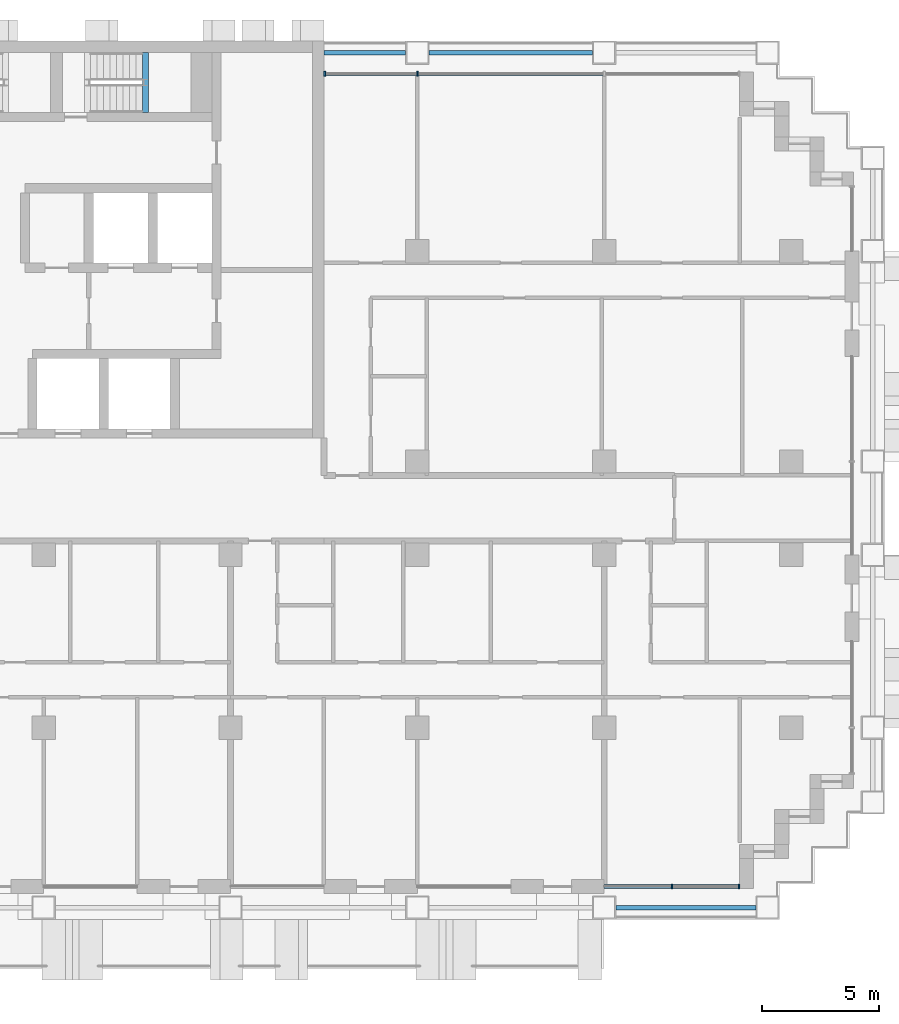
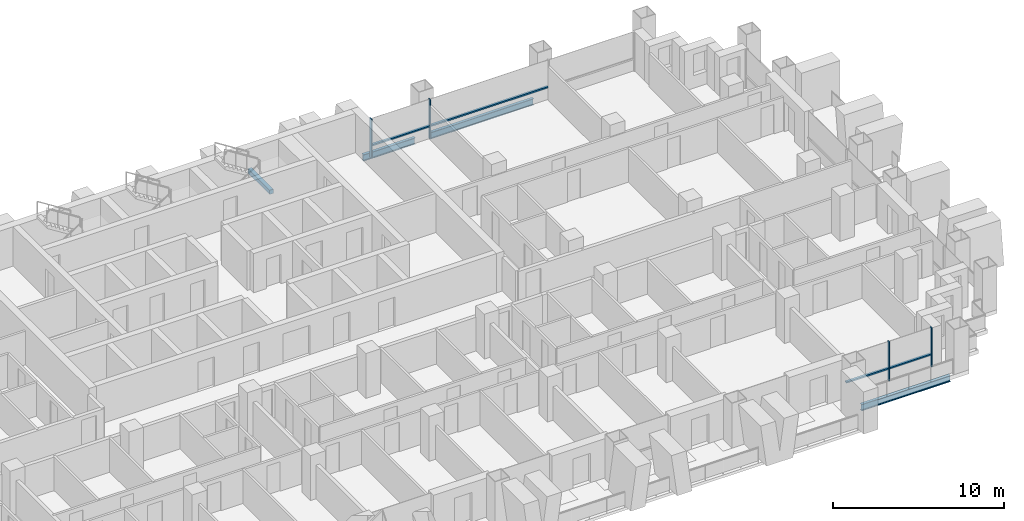
# One storey, part 5 of 19: 8 members, 4 beams, 2 elements without a shape of their own.
"""IFC4 building model written with IfcOpenShell, lengths in metres."""

from ifc_helpers import new_model, si_unit, direction, frame, origin, origin_2d, place, context, subcontext, project, spatial, rectangle, i_section, extrude, material, material_profile, profile_set, type_object, element, aggregate, save


model = new_model("IFC4")

# Units and contexts
model_context = context("Model", 3, precision=1e-05, world=origin(), true_north=direction((0.0, 1.0)))
body_context = subcontext(model_context, "Body", "Model", "MODEL_VIEW")
ifc_project = project(units=[si_unit("LENGTHUNIT", "METRE"), si_unit("AREAUNIT", "SQUARE_METRE"), si_unit("VOLUMEUNIT", "CUBIC_METRE"), si_unit("PLANEANGLEUNIT", "RADIAN"), si_unit("MASSUNIT", "GRAM", prefix="KILO")], contexts=[model_context])

# Site, building, storey
site_placement = place(None, origin())
site = spatial("IfcSite", under=ifc_project, at=site_placement, CompositionType="ELEMENT")
building_placement = place(site_placement, origin())
building = spatial("IfcBuilding", under=site, at=building_placement, Name="Vidyagriha Tower", CompositionType="ELEMENT")
storey_placement = place(building_placement, frame((0.0, 0.0, 60.800048828125)))
storey = spatial("IfcBuildingStorey", under=building, at=storey_placement, Name="L16", CompositionType="ELEMENT", Elevation=60.800048828125)

# Beams
ifc_material_1 = material(Name="Steel ASTM A992 Grade 50", Category="steel")
ifc_material_profile_1 = material_profile(ifc_material_1, i_section(OverallWidth=0.19189453125, OverallDepth=0.46240234375, WebThickness=0.010498046875, FlangeThickness=0.017578125, at=origin_2d()), Name="W18X60")
ifc_profile_set_1 = profile_set([ifc_material_profile_1], Name="Steel ASTM A992 Grade 50")
beam_type_1 = type_object("IfcBeamType", Name="Edge beam W18X60", PredefinedType="SPANDREL", material=ifc_profile_set_1)
beam_1_placement = place(storey_placement, frame((26.5, -17.10009765625, -0.51123046875), z_axis=(1.0, 0.0, 0.0), x_axis=(0.0, 1.0, 0.0)))
element("IfcBeam", 1, at=beam_1_placement, inside=storey, type_object=beam_type_1, Name="st-beam-L16-S09", PredefinedType="SPANDREL", context=body_context, shape_type="SweptSolid", body=[
    extrude(i_section(OverallWidth=0.19189453125, OverallDepth=0.46240234375, WebThickness=0.010498046875, FlangeThickness=0.017578125, at=origin_2d()), origin(), (0.0, 0.0, 1.0), 6.0),
])
beam_2_placement = place(storey_placement, frame((18.5, 19.5, -0.51123046875), z_axis=(1.0, 0.0, 0.0), x_axis=(0.0, 1.0, 0.0)))
element("IfcBeam", 2, at=beam_2_placement, inside=storey, type_object=beam_type_1, Name="st-beam-L16-NE22", PredefinedType="SPANDREL", context=body_context, shape_type="SweptSolid", body=[
    extrude(i_section(OverallWidth=0.19189453125, OverallDepth=0.46240234375, WebThickness=0.010498046875, FlangeThickness=0.017578125, at=origin_2d()), origin(), (0.0, 0.0, 1.0), 7.0),
])
beam_3_placement = place(storey_placement, frame((14.0, 19.5, -0.51123046875), z_axis=(1.0, 0.0, 0.0), x_axis=(0.0, 1.0, 0.0)))
element("IfcBeam", 3, at=beam_3_placement, inside=storey, type_object=beam_type_1, Name="st-beam-L16-NC25", PredefinedType="SPANDREL", context=body_context, shape_type="SweptSolid", body=[
    extrude(i_section(OverallWidth=0.19189453125, OverallDepth=0.46240234375, WebThickness=0.010498046875, FlangeThickness=0.017578125, at=origin_2d()), origin(), (0.0, 0.0, 1.0), 3.5),
])

# Curtain wall, members
ifc_material_2 = material(Name="Aluminium and glass curtain wall", Category="aluminium")
curtain_wall_type = type_object("IfcCurtainWallType", Name="Dwelling skin unitised curtain wall", PredefinedType="USERDEFINED", material=ifc_material_2)
curtain_wall_1_placement = place(storey_placement, origin())
curtain_wall_1 = element("IfcCurtainWall", 4, at=curtain_wall_1_placement, inside=storey, type_object=curtain_wall_type, Name="CW1 dwelling skin", ObjectType="UNITISED", PredefinedType="USERDEFINED")
ifc_material_3 = material(Name="Aluminium black anodised", Category="aluminium")
ifc_material_profile_2 = material_profile(ifc_material_3, rectangle(XDim=0.199951171875, YDim=0.070068359375, at=origin_2d()), Name="Mullion 70x200 black aluminium")
ifc_profile_set_2 = profile_set([ifc_material_profile_2], Name="Aluminium black anodised")
member_type_1 = type_object("IfcMemberType", Name="Mullion 70x200 black aluminium", PredefinedType="MULLION", material=ifc_profile_set_2)
member_1_placement = place(storey_placement, frame((18.0, 18.60009765625, 0.0), z_axis=(0.0, 0.0, 1.0), x_axis=(0.0, -1.0, 0.0)))
member_1 = element("IfcMember", 5, at=member_1_placement, type_object=member_type_1, Name="CW1 mullion 3", PredefinedType="MULLION", context=body_context, shape_type="SweptSolid", body=[
    extrude(rectangle(XDim=0.199951171875, YDim=0.070068359375, at=origin_2d()), origin(), (0.0, 0.0, 1.0), 2.800048828125),
])
member_2_placement = place(storey_placement, frame((14.034912109375, 18.60009765625, 0.0), z_axis=(0.0, 0.0, 1.0), x_axis=(0.0, -1.0, 0.0)))
member_2 = element("IfcMember", 6, at=member_2_placement, type_object=member_type_1, Name="CW1 mullion 4", PredefinedType="MULLION", context=body_context, shape_type="SweptSolid", body=[
    extrude(rectangle(XDim=0.199951171875, YDim=0.070068359375, at=origin_2d()), origin(), (0.0, 0.0, 1.0), 2.800048828125),
])

curtain_wall_2_placement = place(storey_placement, origin())
curtain_wall_2 = element("IfcCurtainWall", 7, at=curtain_wall_2_placement, inside=storey, type_object=curtain_wall_type, Name="CW1 dwelling skin", ObjectType="UNITISED", PredefinedType="USERDEFINED")
member_3_placement = place(storey_placement, frame((28.89990234375, -16.199951171875, 0.0), z_axis=(0.0, 0.0, 1.0), x_axis=(0.0, 1.0, 0.0)))
member_3 = element("IfcMember", 8, at=member_3_placement, type_object=member_type_1, Name="CW1 mullion 2", PredefinedType="MULLION", context=body_context, shape_type="SweptSolid", body=[
    extrude(rectangle(XDim=0.199951171875, YDim=0.070068359375, at=origin_2d()), origin(), (0.0, 0.0, 1.0), 2.800048828125),
])
member_4_placement = place(storey_placement, frame((31.764892578125, -16.199951171875, 0.0), z_axis=(0.0, 0.0, 1.0), x_axis=(0.0, 1.0, 0.0)))
member_4 = element("IfcMember", 9, at=member_4_placement, type_object=member_type_1, Name="CW1 mullion 3", PredefinedType="MULLION", context=body_context, shape_type="SweptSolid", body=[
    extrude(rectangle(XDim=0.199951171875, YDim=0.070068359375, at=origin_2d()), origin(), (0.0, 0.0, 1.0), 2.800048828125),
])

# Beam
ifc_material_4 = material(Name="Concrete C40/50", Category="concrete")
ifc_material_profile_3 = material_profile(ifc_material_4, rectangle(XDim=0.25, YDim=0.300048828125, at=origin_2d()), Name="Stair landing bearing beam 250x300")
ifc_profile_set_3 = profile_set([ifc_material_profile_3], Name="Concrete C40/50")
beam_type_2 = type_object("IfcBeamType", Name="Stair landing bearing beam 250x300", PredefinedType="BEAM", material=ifc_profile_set_3)
beam_4_placement = place(storey_placement, frame((6.364990234375, 16.949951171875, 1.25), z_axis=(0.0, 1.0, 0.0), x_axis=(-1.0, 0.0, 0.0)))
element("IfcBeam", 10, at=beam_4_placement, inside=storey, type_object=beam_type_2, Name="ST3 landing bearing beam L16", PredefinedType="BEAM", context=body_context, shape_type="SweptSolid", body=[
    extrude(rectangle(XDim=0.25, YDim=0.300048828125, at=origin_2d()), origin(), (0.0, 0.0, 1.0), 2.550048828125),
])

# Member
ifc_material_5 = material(Name="Aluminium black anodised", Category="aluminium")
ifc_material_profile_4 = material_profile(ifc_material_5, rectangle(XDim=0.159912109375, YDim=0.10009765625, at=origin_2d()), Name="Transom 100x160 black aluminium")
ifc_profile_set_4 = profile_set([ifc_material_profile_4], Name="Aluminium black anodised")
member_type_2 = type_object("IfcMemberType", Name="Transom 100x160 black aluminium", PredefinedType="USERDEFINED", material=ifc_profile_set_4)
member_5_placement = place(storey_placement, frame((25.965087890625, 18.60009765625, 0.89990234375), z_axis=(-1.0, 0.0, 0.0), x_axis=(0.0, -1.0, 0.0)))
member_5 = element("IfcMember", 11, at=member_5_placement, type_object=member_type_2, Name="CW1 transom 2.1", ObjectType="TRANSOM", PredefinedType="USERDEFINED", context=body_context, shape_type="SweptSolid", body=[
    extrude(rectangle(XDim=0.159912109375, YDim=0.10009765625, at=origin_2d()), origin(), (0.0, 0.0, 1.0), 7.93017578125),
])

member_6_placement = place(storey_placement, frame((17.965087890625, 18.60009765625, 0.89990234375), z_axis=(-1.0, 0.0, 0.0), x_axis=(0.0, -1.0, 0.0)))
member_6 = element("IfcMember", 12, at=member_6_placement, type_object=member_type_2, Name="CW1 transom 3.1", ObjectType="TRANSOM", PredefinedType="USERDEFINED", context=body_context, shape_type="SweptSolid", body=[
    extrude(rectangle(XDim=0.159912109375, YDim=0.10009765625, at=origin_2d()), origin(), (0.0, 0.0, 1.0), 3.89501953125),
])

aggregate(curtain_wall_1, [member_1, member_2, member_5, member_6])

member_7_placement = place(storey_placement, frame((26.0, -16.199951171875, 0.89990234375), z_axis=(1.0, 0.0, 0.0), x_axis=(0.0, 1.0, 0.0)))
member_7 = element("IfcMember", 13, at=member_7_placement, type_object=member_type_2, Name="CW1 transom 1.1", ObjectType="TRANSOM", PredefinedType="USERDEFINED", context=body_context, shape_type="SweptSolid", body=[
    extrude(rectangle(XDim=0.159912109375, YDim=0.10009765625, at=origin_2d()), origin(), (0.0, 0.0, 1.0), 2.864990234375),
])

member_8_placement = place(storey_placement, frame((28.93505859375, -16.199951171875, 0.89990234375), z_axis=(1.0, 0.0, 0.0), x_axis=(0.0, 1.0, 0.0)))
member_8 = element("IfcMember", 14, at=member_8_placement, type_object=member_type_2, Name="CW1 transom 2.1", ObjectType="TRANSOM", PredefinedType="USERDEFINED", context=body_context, shape_type="SweptSolid", body=[
    extrude(rectangle(XDim=0.159912109375, YDim=0.10009765625, at=origin_2d()), origin(), (0.0, 0.0, 1.0), 2.794921875),
])

aggregate(curtain_wall_2, [member_3, member_4, member_7, member_8])

save(model, "model.ifc")
